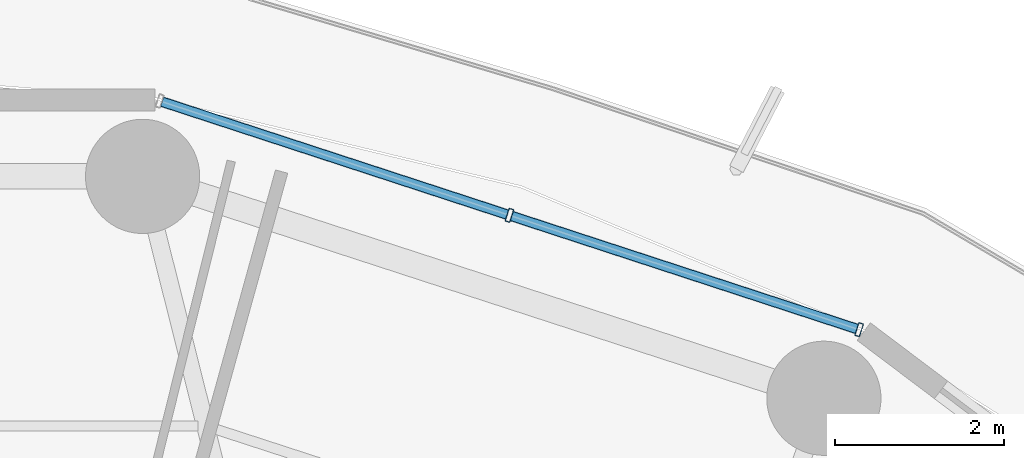
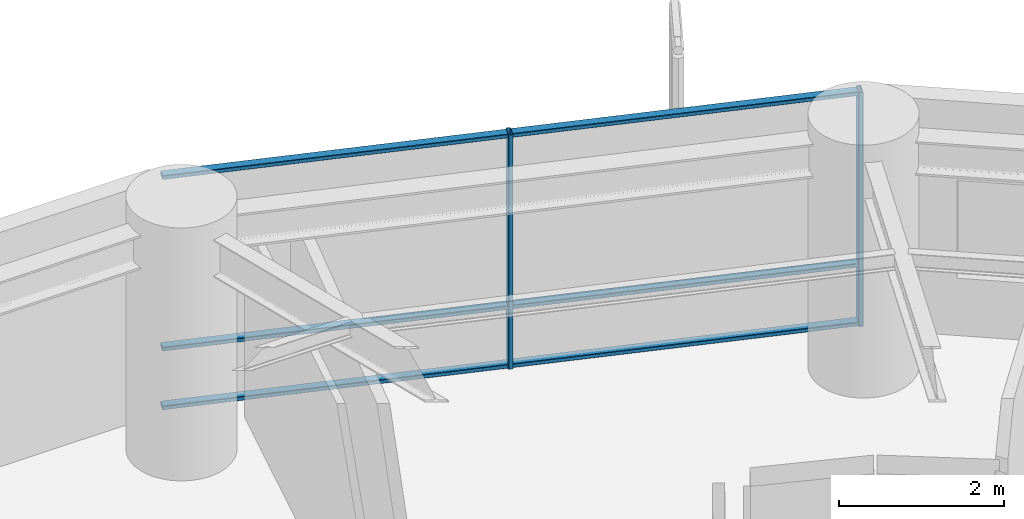
# One storey, part 25 of 38: 8 members, 1 element without a shape of its own.
"""IFC4 building model written with IfcOpenShell, lengths in metres."""

import ifcopenshell
import ifcopenshell.guid

model = None  # the IFC model being written
_history = None  # IfcOwnerHistory: only IFC2X3 demands one
_inside = {}  # id of a spatial element -> (the spatial element, [elements in it])
_under = {}  # id of a project, library or spatial element -> (it, [spatial elements below it])
_declared = {}  # id of a project -> (the project, [libraries it declares])
_typed = {}  # id of a type object -> (the type object, [elements of that type])
_made_of = {}  # id of a material, layer set ... -> (it, [elements and type objects made of it])


def new_model(schema):
    """Start an empty IFC model of exactly this schema.

    Asked for "IFC4X3", IfcOpenShell would pick the latest addendum, in which some entities
    have other attributes; the version numbers below select the first issue.
    IFC2X3 requires an IfcOwnerHistory on every rooted entity: one is made here for all.
    """
    global model, _history
    if schema == "IFC4X3":
        model = ifcopenshell.file(schema_version=(4, 3, 0, 0))
    else:
        model = ifcopenshell.file(schema=schema)
    _inside.clear()
    _under.clear()
    _declared.clear()
    _typed.clear()
    _made_of.clear()
    _history = None
    if model.schema == "IFC2X3":
        org = make("IfcOrganization", Name="unknown")
        user = make(
            "IfcPersonAndOrganization",
            ThePerson=make("IfcPerson", FamilyName="unknown"),
            TheOrganization=org,
        )
        app = make(
            "IfcApplication",
            ApplicationDeveloper=org,
            Version="unknown",
            ApplicationFullName="unknown",
            ApplicationIdentifier="unknown",
        )
        _history = make(
            "IfcOwnerHistory",
            OwningUser=user,
            OwningApplication=app,
            ChangeAction="ADDED",
            CreationDate=0,
        )
    return model


def make(cls, **values):
    """One entity of the class cls with the attributes given. An attribute that is None is left unset."""
    return model.create_entity(
        cls, **{name: value for name, value in values.items() if value is not None}
    )


def rooted(cls, **values):
    """An entity with a GlobalId (a new one), such as an element, a storey or a relation."""
    return make(cls, GlobalId=ifcopenshell.guid.new(), OwnerHistory=_history, **values)


def si_unit(unit_type, name, prefix=None):
    """IfcSIUnit, for example si_unit("LENGTHUNIT", "METRE", prefix="MILLI")."""
    return make("IfcSIUnit", UnitType=unit_type, Prefix=prefix, Name=name)


def assignment(units):
    """IfcUnitAssignment: the units of a project."""
    return None if units is None else make("IfcUnitAssignment", Units=units)


def point(xyz):
    """IfcCartesianPoint."""
    return None if xyz is None else make("IfcCartesianPoint", Coordinates=xyz)


def direction(xyz):
    """IfcDirection."""
    return None if xyz is None else make("IfcDirection", DirectionRatios=xyz)


def frame(location, z_axis=None, x_axis=None):
    """IfcAxis2Placement3D, a coordinate frame: its origin and axes. An axis left out is left unset."""
    return make(
        "IfcAxis2Placement3D",
        Location=point(location),
        Axis=direction(z_axis),
        RefDirection=direction(x_axis),
    )


def frame_2d(location, x_axis=None):
    """IfcAxis2Placement2D, a coordinate frame in the plane: its origin and x axis."""
    return make(
        "IfcAxis2Placement2D", Location=point(location), RefDirection=direction(x_axis)
    )


def origin():
    """The frame at (0, 0, 0) with its axes left unset."""
    return frame((0.0, 0.0, 0.0))


def origin_2d():
    """The frame at (0, 0) in the plane with its x axis left unset."""
    return frame_2d((0.0, 0.0))


def place(relative_to, where):
    """IfcLocalPlacement: puts the frame where relative to a parent placement (None: the world)."""
    return make(
        "IfcLocalPlacement", PlacementRelTo=relative_to, RelativePlacement=where
    )


def context(
    kind, dimensions, precision=None, world=None, true_north=None, identifier=None
):
    """IfcGeometricRepresentationContext, for example the 3D "Model" context."""
    return make(
        "IfcGeometricRepresentationContext",
        ContextIdentifier=identifier,
        ContextType=kind,
        CoordinateSpaceDimension=dimensions,
        Precision=precision,
        WorldCoordinateSystem=world,
        TrueNorth=true_north,
    )


def subcontext(parent, identifier, kind, view, scale=None):
    """IfcGeometricRepresentationSubContext, for example "Body" below "Model"."""
    return make(
        "IfcGeometricRepresentationSubContext",
        ContextIdentifier=identifier,
        ContextType=kind,
        ParentContext=parent,
        TargetScale=scale,
        TargetView=view,
    )


def project(units=None, contexts=None):
    """IfcProject with its units and contexts."""
    return rooted(
        "IfcProject",
        Name="project",
        RepresentationContexts=contexts,
        UnitsInContext=assignment(units),
    )


def spatial(cls, under=None, at=None, **own):
    """A site, building, storey or space (cls), placed at a placement, below another one or the project."""
    s = rooted(cls, ObjectPlacement=at, **own)
    if under is not None:
        _under.setdefault(under.id(), (under, []))[1].append(s)
    return s


def profile(cls, at=None, kind="AREA", **sizes):
    """A parametric profile (cls). Its sizes go by their IFC names, for example OverallWidth=200.0."""
    return make(cls, ProfileType=kind, Position=at, **sizes)


def hollow_rectangle(**sizes):
    """IfcRectangleHollowProfileDef."""
    return profile("IfcRectangleHollowProfileDef", **sizes)


def extrude(swept, where, along, depth):
    """IfcExtrudedAreaSolid: the profile swept, set in the frame where, extruded along a direction by depth."""
    return make(
        "IfcExtrudedAreaSolid",
        SweptArea=swept,
        Position=where,
        ExtrudedDirection=direction(along),
        Depth=depth,
    )


def shape(context_of_items, identifier, shape_type, items):
    """IfcShapeRepresentation: the items that make up one representation, for example the "Body"."""
    return make(
        "IfcShapeRepresentation",
        ContextOfItems=context_of_items,
        RepresentationIdentifier=identifier,
        RepresentationType=shape_type,
        Items=items,
    )


def material(Name=None, Category=None):
    """IfcMaterial."""
    return make("IfcMaterial", Name=Name, Category=Category)


def layer(
    of_material, thickness, ventilated=None, Name=None, Category=None, Priority=None
):
    """IfcMaterialLayer: one layer of a wall or slab, of a material (None: an air gap)."""
    return make(
        "IfcMaterialLayer",
        Material=of_material,
        LayerThickness=thickness,
        IsVentilated=ventilated,
        Name=Name,
        Category=Category,
        Priority=Priority,
    )


def layer_set(layers, Name=None):
    """IfcMaterialLayerSet."""
    return make("IfcMaterialLayerSet", MaterialLayers=layers, LayerSetName=Name)


def material_profile(
    of_material, cross_section, Name=None, Category=None, Priority=None
):
    """IfcMaterialProfile: a cross section and its material."""
    return make(
        "IfcMaterialProfile",
        Name=Name,
        Material=of_material,
        Profile=cross_section,
        Priority=Priority,
        Category=Category,
    )


def profile_set(profiles, Name=None, composite=None):
    """IfcMaterialProfileSet."""
    return make(
        "IfcMaterialProfileSet",
        Name=Name,
        MaterialProfiles=profiles,
        CompositeProfile=composite,
    )


def made_of(thing, what):
    """Note that an element or type object is made of a material, layer set ...; save() writes the relation."""
    if what is not None:
        _made_of.setdefault(what.id(), (what, []))[1].append(thing)
    return thing


def type_object(cls, material=None, **own):
    """A type object (cls), such as IfcWallType, which elements share."""
    return made_of(rooted(cls, **own), material)


def element(
    cls,
    number,
    at=None,
    inside=None,
    cuts=None,
    type_object=None,
    material=None,
    context=None,
    identifier="Body",
    shape_type=None,
    held_by="IfcProductDefinitionShape",
    body=None,
    shapes=None,
    **own,
):
    """One element of the class cls, such as IfcWall. Its Tag is "e" and its number.

    at: its placement. inside: the storey or other place that contains it. cuts: it is an
    opening in that element (IfcRelVoidsElement). A single representation is given by context,
    identifier, shape_type and body (its items); several are given by shapes. held_by: the class
    of the entity that holds the representations. save() writes the other relations.
    """
    e = rooted(cls, Tag="e%d" % number, ObjectPlacement=at, **own)
    if body is not None:
        shapes = [shape(context, identifier, shape_type, body)]
    if shapes is not None:
        e.Representation = make(held_by, Representations=shapes)
    if inside is not None:
        _inside.setdefault(inside.id(), (inside, []))[1].append(e)
    if cuts is not None:
        rooted(
            "IfcRelVoidsElement", RelatingBuildingElement=cuts, RelatedOpeningElement=e
        )
    if type_object is not None:
        _typed.setdefault(type_object.id(), (type_object, []))[1].append(e)
    return made_of(e, material)


def aggregate(whole, parts):
    """IfcRelAggregates: a whole, such as a stair, and the parts it consists of."""
    return rooted("IfcRelAggregates", RelatingObject=whole, RelatedObjects=parts)


def save(model, path):
    """Write the relations noted so far, then the file.

    IfcRelAggregates (storeys below a building ...), IfcRelContainedInSpatialStructure (elements
    in a storey), IfcRelDefinesByType, IfcRelAssociatesMaterial and IfcRelDeclares: one each for
    every whole, place, type object, material and project.
    """
    for whole, parts in _under.values():
        aggregate(whole, parts)
    for where, things in _inside.values():
        rooted(
            "IfcRelContainedInSpatialStructure",
            RelatedElements=things,
            RelatingStructure=where,
        )
    for kind, things in _typed.values():
        rooted("IfcRelDefinesByType", RelatedObjects=things, RelatingType=kind)
    for what, things in _made_of.values():
        rooted("IfcRelAssociatesMaterial", RelatedObjects=things, RelatingMaterial=what)
    for by, libraries in _declared.values():
        rooted("IfcRelDeclares", RelatingContext=by, RelatedDefinitions=libraries)
    model.write(path)


model = new_model("IFC4")

# Units and contexts
model_context = context("Model", 3, precision=1e-05, world=origin(), true_north=direction((0.0, 1.0)))
body_context = subcontext(model_context, "Body", "Model", "MODEL_VIEW")
ifc_project = project(units=[si_unit("LENGTHUNIT", "METRE"), si_unit("AREAUNIT", "SQUARE_METRE"), si_unit("VOLUMEUNIT", "CUBIC_METRE"), si_unit("PLANEANGLEUNIT", "RADIAN"), si_unit("MASSUNIT", "GRAM", prefix="KILO")], contexts=[model_context])

# Site, building, storey
site_placement = place(None, origin())
site = spatial("IfcSite", under=ifc_project, at=site_placement, CompositionType="ELEMENT")
building_placement = place(site_placement, origin())
building = spatial("IfcBuilding", under=site, at=building_placement, Name="Kelanora Arch Commons", CompositionType="ELEMENT")
storey_placement = place(building_placement, frame((0.0, 0.0, 106.35009765625)))
storey = spatial("IfcBuildingStorey", under=building, at=storey_placement, Name="L27", CompositionType="ELEMENT", Elevation=106.35009765625)

# Curtain wall, members
ifc_material_1 = material(Name="Terracotta ceramic-fritted low-E glass and aluminium", Category="masonry")
ifc_layer = layer(ifc_material_1, 0.159912109375)
ifc_layer_set = layer_set([ifc_layer], Name="Terracotta ceramic-fritted low-E glass and aluminium")
curtain_wall_type = type_object("IfcCurtainWallType", Name="CW-SYS-01", PredefinedType="NOTDEFINED", material=ifc_layer_set)
curtain_wall_placement = place(storey_placement, origin())
curtain_wall = element("IfcCurtainWall", 1, at=curtain_wall_placement, inside=storey, type_object=curtain_wall_type, Name="Unitised Curtain Wall L27-B03", PredefinedType="NOTDEFINED")
ifc_material_2 = material(Name="Powder-coated aluminium terracotta", Category="masonry")
ifc_material_profile_1 = material_profile(ifc_material_2, hollow_rectangle(XDim=0.159912109375, YDim=0.06005859375, WallThickness=0.0048828125, InnerFilletRadius=0.0048828125, OuterFilletRadius=0.010009765625, at=origin_2d()), Name="CWM160x60")
ifc_profile_set_1 = profile_set([ifc_material_profile_1], Name="Powder-coated aluminium terracotta")
member_type_1 = type_object("IfcMemberType", Name="CWM-STD", PredefinedType="MULLION", material=ifc_profile_set_1)
member_1_placement = place(storey_placement, frame((86.757080078125, 77.9326171875, 0.0), z_axis=(0.0, 0.0, 1.0), x_axis=(-0.31080470294, -0.950473795867, 0.0)))
member_1 = element("IfcMember", 2, at=member_1_placement, type_object=member_type_1, Name="CW-01 mullion 1", PredefinedType="MULLION", context=body_context, shape_type="SweptSolid", body=[
    extrude(hollow_rectangle(XDim=0.159912109375, YDim=0.06005859375, WallThickness=0.0048828125, InnerFilletRadius=0.0048828125, OuterFilletRadius=0.010009765625, at=origin_2d()), origin(), (0.0, 0.0, 1.0), 3.474853515625),
])
member_2_placement = place(storey_placement, frame((82.622802734375, 79.28466796875, 0.0), z_axis=(0.0, 0.0, 1.0), x_axis=(-0.31080470294, -0.950473795867, 0.0)))
member_2 = element("IfcMember", 3, at=member_2_placement, type_object=member_type_1, Name="CW-01 mullion 2", PredefinedType="MULLION", context=body_context, shape_type="SweptSolid", body=[
    extrude(hollow_rectangle(XDim=0.159912109375, YDim=0.06005859375, WallThickness=0.0048828125, InnerFilletRadius=0.0048828125, OuterFilletRadius=0.010009765625, at=origin_2d()), origin(), (0.0, 0.0, 1.0), 3.474853515625),
])
ifc_material_profile_2 = material_profile(ifc_material_2, hollow_rectangle(XDim=0.1201171875, YDim=0.06005859375, WallThickness=0.0048828125, InnerFilletRadius=0.0048828125, OuterFilletRadius=0.010009765625, at=origin_2d()), Name="CWT120x60")
ifc_profile_set_2 = profile_set([ifc_material_profile_2], Name="Powder-coated aluminium terracotta")
member_type_2 = type_object("IfcMemberType", Name="CWT-STD", PredefinedType="USERDEFINED", material=ifc_profile_set_2)
member_3_placement = place(storey_placement, frame((86.728759765625, 77.94189453125, 0.02978515625), z_axis=(-0.950466230394, 0.310827838008, 0.0), x_axis=(-0.310827838008, -0.950466230394, 0.0)))
member_3 = element("IfcMember", 4, at=member_3_placement, type_object=member_type_2, Name="CW-01 transom 1.1", ObjectType="TRANSOM", PredefinedType="USERDEFINED", context=body_context, shape_type="SweptSolid", body=[
    extrude(hollow_rectangle(XDim=0.1201171875, YDim=0.06005859375, WallThickness=0.0048828125, InnerFilletRadius=0.0048828125, OuterFilletRadius=0.010009765625, at=origin_2d()), origin(), (0.0, 0.0, 1.0), 4.2900390625),
])
member_4_placement = place(storey_placement, frame((86.728759765625, 77.94189453125, 0.89990234375), z_axis=(-0.950466230394, 0.310827838008, 0.0), x_axis=(-0.310827838008, -0.950466230394, 0.0)))
member_4 = element("IfcMember", 5, at=member_4_placement, type_object=member_type_2, Name="CW-01 transom 1.2", ObjectType="TRANSOM", PredefinedType="USERDEFINED", context=body_context, shape_type="SweptSolid", body=[
    extrude(hollow_rectangle(XDim=0.1201171875, YDim=0.06005859375, WallThickness=0.0048828125, InnerFilletRadius=0.0048828125, OuterFilletRadius=0.010009765625, at=origin_2d()), origin(), (0.0, 0.0, 1.0), 4.2900390625),
])
member_5_placement = place(storey_placement, frame((86.728759765625, 77.94189453125, 3.44482421875), z_axis=(-0.950466230394, 0.310827838008, 0.0), x_axis=(-0.310827838008, -0.950466230394, 0.0)))
member_5 = element("IfcMember", 6, at=member_5_placement, type_object=member_type_2, Name="CW-01 transom 1.3", ObjectType="TRANSOM", PredefinedType="USERDEFINED", context=body_context, shape_type="SweptSolid", body=[
    extrude(hollow_rectangle(XDim=0.1201171875, YDim=0.06005859375, WallThickness=0.0048828125, InnerFilletRadius=0.0048828125, OuterFilletRadius=0.010009765625, at=origin_2d()), origin(), (0.0, 0.0, 1.0), 4.2900390625),
])
member_6_placement = place(storey_placement, frame((82.59423828125, 79.2939453125, 0.02978515625), z_axis=(-0.950477544745, 0.31079323824, 0.0), x_axis=(-0.31079323824, -0.950477544745, 0.0)))
member_6 = element("IfcMember", 7, at=member_6_placement, type_object=member_type_2, Name="CW-01 transom 2.1", ObjectType="TRANSOM", PredefinedType="USERDEFINED", context=body_context, shape_type="SweptSolid", body=[
    extrude(hollow_rectangle(XDim=0.1201171875, YDim=0.06005859375, WallThickness=0.0048828125, InnerFilletRadius=0.0048828125, OuterFilletRadius=0.010009765625, at=origin_2d()), origin(), (0.0, 0.0, 1.0), 4.289794921875),
])
member_7_placement = place(storey_placement, frame((82.59423828125, 79.2939453125, 0.89990234375), z_axis=(-0.950477544745, 0.31079323824, 0.0), x_axis=(-0.31079323824, -0.950477544745, 0.0)))
member_7 = element("IfcMember", 8, at=member_7_placement, type_object=member_type_2, Name="CW-01 transom 2.2", ObjectType="TRANSOM", PredefinedType="USERDEFINED", context=body_context, shape_type="SweptSolid", body=[
    extrude(hollow_rectangle(XDim=0.1201171875, YDim=0.06005859375, WallThickness=0.0048828125, InnerFilletRadius=0.0048828125, OuterFilletRadius=0.010009765625, at=origin_2d()), origin(), (0.0, 0.0, 1.0), 4.289794921875),
])
member_8_placement = place(storey_placement, frame((82.59423828125, 79.2939453125, 3.44482421875), z_axis=(-0.950477544745, 0.31079323824, 0.0), x_axis=(-0.31079323824, -0.950477544745, 0.0)))
member_8 = element("IfcMember", 9, at=member_8_placement, type_object=member_type_2, Name="CW-01 transom 2.3", ObjectType="TRANSOM", PredefinedType="USERDEFINED", context=body_context, shape_type="SweptSolid", body=[
    extrude(hollow_rectangle(XDim=0.1201171875, YDim=0.06005859375, WallThickness=0.0048828125, InnerFilletRadius=0.0048828125, OuterFilletRadius=0.010009765625, at=origin_2d()), origin(), (0.0, 0.0, 1.0), 4.289794921875),
])
aggregate(curtain_wall, [member_1, member_2, member_3, member_4, member_5, member_6, member_7, member_8])

save(model, "model.ifc")
